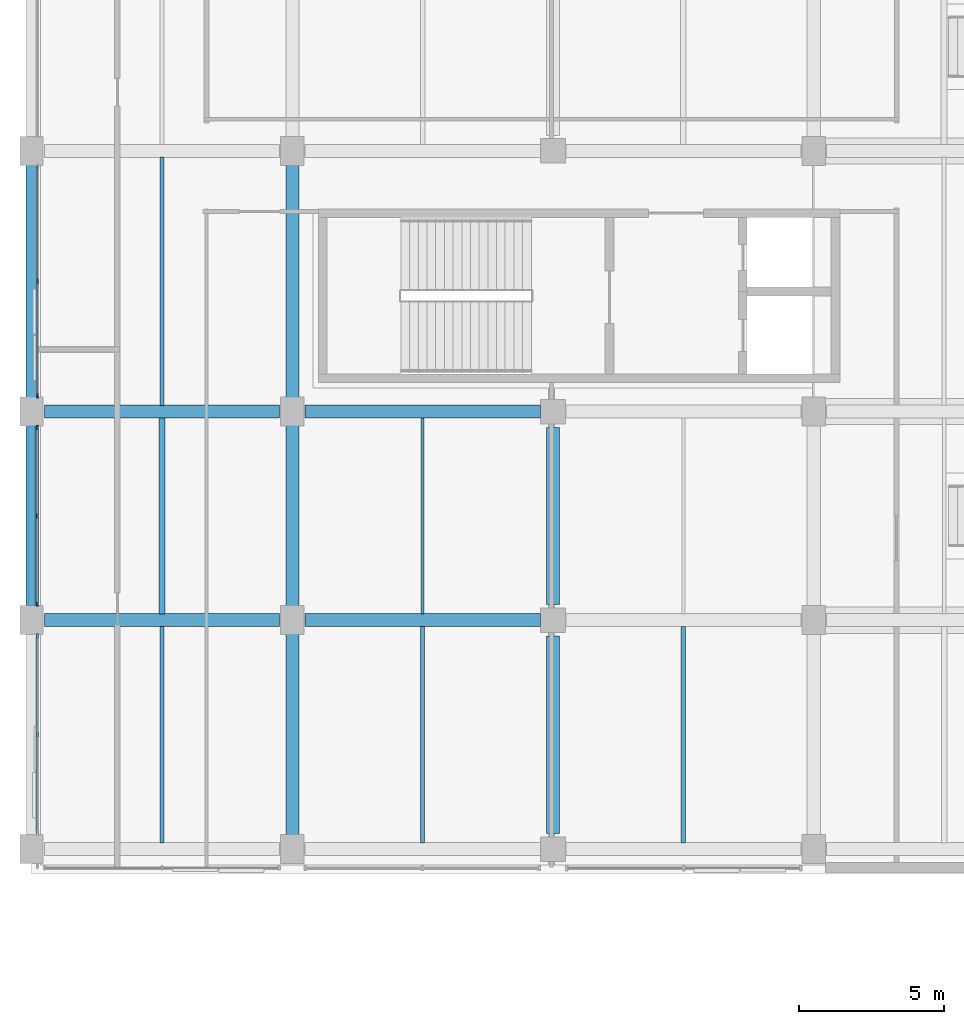
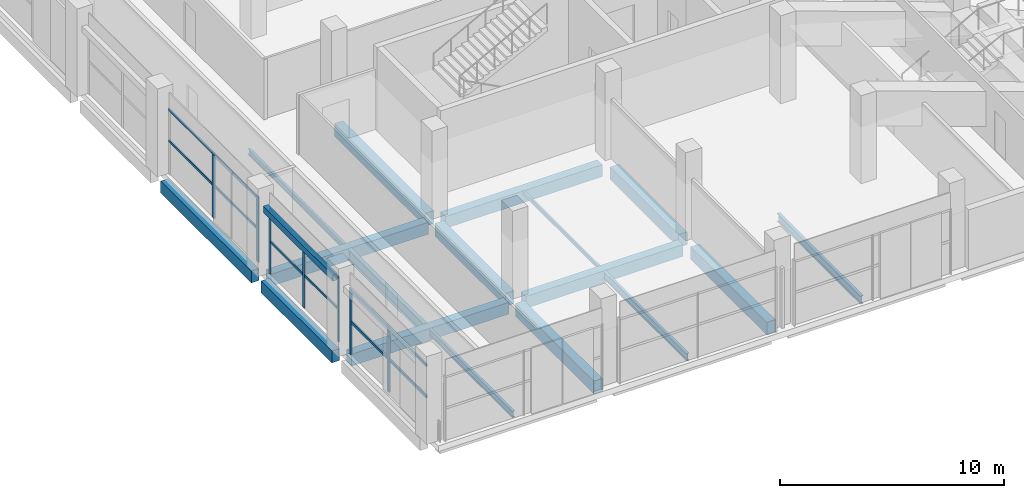
# One storey, part 21 of 66: 17 beams, 14 members, 3 elements without a shape of their own.
"""IFC4 building model written with IfcOpenShell, lengths in metres."""

from ifc_helpers import new_model, si_unit, direction, frame, origin, origin_2d, place, context, subcontext, project, spatial, rectangle, hollow_rectangle, i_section, extrude, material, material_profile, profile_set, type_object, element, aggregate, save


model = new_model("IFC4")

# Units and contexts
model_context = context("Model", 3, precision=1e-05, world=origin(), true_north=direction((0.0, 1.0)))
body_context = subcontext(model_context, "Body", "Model", "MODEL_VIEW")
ifc_project = project(units=[si_unit("LENGTHUNIT", "METRE"), si_unit("AREAUNIT", "SQUARE_METRE"), si_unit("VOLUMEUNIT", "CUBIC_METRE"), si_unit("PLANEANGLEUNIT", "RADIAN"), si_unit("MASSUNIT", "GRAM", prefix="KILO"), si_unit("THERMODYNAMICTEMPERATUREUNIT", "KELVIN"), si_unit("POWERUNIT", "WATT")], contexts=[model_context])

# Site, building, storey
site_placement = place(None, origin())
site = spatial("IfcSite", under=ifc_project, at=site_placement, CompositionType="ELEMENT")
building_placement = place(site_placement, origin())
building = spatial("IfcBuilding", under=site, at=building_placement, Name="Sindhuravela Promenade Stadium", CompositionType="ELEMENT")
storey_placement = place(building_placement, frame((0.0, 0.0, 19.199951171875)))
storey = spatial("IfcBuildingStorey", under=building, at=storey_placement, Name="L04", CompositionType="ELEMENT", Elevation=19.199951171875)

# Curtain wall, members
ifc_material_1 = material(Name="Anodised architectural aluminium 6063-T6", Category="aluminium")
curtain_wall_type_1 = type_object("IfcCurtainWallType", Name="CW-MOD-1", PredefinedType="NOTDEFINED", material=ifc_material_1)
curtain_wall_1_placement = place(storey_placement, origin())
curtain_wall_1 = element("IfcCurtainWall", 1, at=curtain_wall_1_placement, inside=storey, type_object=curtain_wall_type_1, Name="Bronze curtain wall CW-WEST-L04-048", PredefinedType="NOTDEFINED")
ifc_material_profile_1 = material_profile(ifc_material_1, rectangle(XDim=0.074951171875, YDim=0.175048828125, at=origin_2d()), Name="ALU MULL 75x175")
ifc_profile_set_1 = profile_set([ifc_material_profile_1], Name="Anodised architectural aluminium 6063-T6")
member_type_1 = type_object("IfcMemberType", Name="CW-MUL-1", PredefinedType="MULLION", material=ifc_profile_set_1)
member_1_placement = place(storey_placement, frame((0.199951171875, 41.050048828125, 0.0), z_axis=(0.0, 0.0, 1.0), x_axis=(1.0, 0.0, 0.0)))
member_1 = element("IfcMember", 2, at=member_1_placement, type_object=member_type_1, Name="Curtain wall mullion CW-WEST-L04-048-M2", PredefinedType="MULLION", context=body_context, shape_type="SweptSolid", body=[
    extrude(rectangle(XDim=0.074951171875, YDim=0.175048828125, at=origin_2d()), origin(), (0.0, 0.0, 1.0), 3.580078125),
])
member_2_placement = place(storey_placement, frame((0.199951171875, 44.449951171875, 0.0), z_axis=(0.0, 0.0, 1.0), x_axis=(1.0, 0.0, 0.0)))
member_2 = element("IfcMember", 3, at=member_2_placement, type_object=member_type_1, Name="Curtain wall mullion CW-WEST-L04-048-M3", PredefinedType="MULLION", context=body_context, shape_type="SweptSolid", body=[
    extrude(rectangle(XDim=0.074951171875, YDim=0.175048828125, at=origin_2d()), origin(), (0.0, 0.0, 1.0), 3.580078125),
])

curtain_wall_type_2 = type_object("IfcCurtainWallType", Name="CW-MOD-2", PredefinedType="NOTDEFINED", material=ifc_material_1)
curtain_wall_2_placement = place(storey_placement, origin())
curtain_wall_2 = element("IfcCurtainWall", 4, at=curtain_wall_2_placement, inside=storey, type_object=curtain_wall_type_2, Name="Bronze curtain wall CW-WEST-L04-049", PredefinedType="NOTDEFINED")
ifc_material_profile_2 = material_profile(ifc_material_1, rectangle(XDim=0.06494140625, YDim=0.14990234375, at=origin_2d()), Name="ALU MULL 65x150")
ifc_profile_set_2 = profile_set([ifc_material_profile_2], Name="Anodised architectural aluminium 6063-T6")
member_type_2 = type_object("IfcMemberType", Name="CW-MUL-2", PredefinedType="MULLION", material=ifc_profile_set_2)
member_3_placement = place(storey_placement, frame((0.199951171875, 45.550048828125, 0.0), z_axis=(0.0, 0.0, 1.0), x_axis=(1.0, 0.0, 0.0)))
member_3 = element("IfcMember", 5, at=member_3_placement, type_object=member_type_2, Name="Curtain wall mullion CW-WEST-L04-049-M1", PredefinedType="MULLION", context=body_context, shape_type="SweptSolid", body=[
    extrude(rectangle(XDim=0.06494140625, YDim=0.14990234375, at=origin_2d()), origin(), (0.0, 0.0, 1.0), 3.580078125),
])
member_4_placement = place(storey_placement, frame((0.199951171875, 48.60009765625, 0.0), z_axis=(0.0, 0.0, 1.0), x_axis=(1.0, 0.0, 0.0)))
member_4 = element("IfcMember", 6, at=member_4_placement, type_object=member_type_2, Name="Curtain wall mullion CW-WEST-L04-049-M2", PredefinedType="MULLION", context=body_context, shape_type="SweptSolid", body=[
    extrude(rectangle(XDim=0.06494140625, YDim=0.14990234375, at=origin_2d()), origin(), (0.0, 0.0, 1.0), 3.580078125),
])
member_5_placement = place(storey_placement, frame((0.199951171875, 51.64990234375, 0.0), z_axis=(0.0, 0.0, 1.0), x_axis=(1.0, 0.0, 0.0)))
member_5 = element("IfcMember", 7, at=member_5_placement, type_object=member_type_2, Name="Curtain wall mullion CW-WEST-L04-049-M3", PredefinedType="MULLION", context=body_context, shape_type="SweptSolid", body=[
    extrude(rectangle(XDim=0.06494140625, YDim=0.14990234375, at=origin_2d()), origin(), (0.0, 0.0, 1.0), 3.580078125),
])

curtain_wall_type_3 = type_object("IfcCurtainWallType", Name="CW-MOD-3", PredefinedType="NOTDEFINED", material=ifc_material_1)
curtain_wall_3_placement = place(storey_placement, origin())
curtain_wall_3 = element("IfcCurtainWall", 8, at=curtain_wall_3_placement, inside=storey, type_object=curtain_wall_type_3, Name="Bronze curtain wall CW-WEST-L04-050", PredefinedType="NOTDEFINED")
ifc_material_profile_3 = material_profile(ifc_material_1, rectangle(XDim=0.06005859375, YDim=0.179931640625, at=origin_2d()), Name="ALU M60x180")
ifc_profile_set_3 = profile_set([ifc_material_profile_3], Name="Anodised architectural aluminium 6063-T6")
member_type_3 = type_object("IfcMemberType", Name="CW-MUL-3", PredefinedType="MULLION", material=ifc_profile_set_3)
member_6_placement = place(storey_placement, frame((0.199951171875, 52.75, 0.0), z_axis=(0.0, 0.0, 1.0), x_axis=(1.0, 0.0, 0.0)))
member_6 = element("IfcMember", 9, at=member_6_placement, type_object=member_type_3, Name="Curtain wall mullion CW-WEST-L04-050-M1", PredefinedType="MULLION", context=body_context, shape_type="SweptSolid", body=[
    extrude(rectangle(XDim=0.06005859375, YDim=0.179931640625, at=origin_2d()), origin(), (0.0, 0.0, 1.0), 3.580078125),
])
member_7_placement = place(storey_placement, frame((0.199951171875, 56.699951171875, 0.0), z_axis=(0.0, 0.0, 1.0), x_axis=(1.0, 0.0, 0.0)))
member_7 = element("IfcMember", 10, at=member_7_placement, type_object=member_type_3, Name="Curtain wall mullion CW-WEST-L04-050-M2", PredefinedType="MULLION", context=body_context, shape_type="SweptSolid", body=[
    extrude(rectangle(XDim=0.06005859375, YDim=0.179931640625, at=origin_2d()), origin(), (0.0, 0.0, 1.0), 3.580078125),
])

# Member
ifc_material_profile_4 = material_profile(ifc_material_1, rectangle(XDim=0.074951171875, YDim=0.14990234375, at=origin_2d()), Name="ALU TRAN 75x150")
ifc_profile_set_4 = profile_set([ifc_material_profile_4], Name="Anodised architectural aluminium 6063-T6")
member_type_4 = type_object("IfcMemberType", Name="CW-TRN-1", PredefinedType="USERDEFINED", material=ifc_profile_set_4)
member_8_placement = place(storey_placement, frame((0.199951171875, 37.625, 1.7900390625), z_axis=(0.0, 1.0, 0.0), x_axis=(-1.0, 0.0, 0.0)))
member_8 = element("IfcMember", 11, at=member_8_placement, type_object=member_type_4, Name="Curtain wall transom CW-WEST-L04-048-T1", ObjectType="TRANSOM", PredefinedType="USERDEFINED", context=body_context, shape_type="SweptSolid", body=[
    extrude(rectangle(XDim=0.074951171875, YDim=0.14990234375, at=origin_2d()), origin(), (0.0, 0.0, 1.0), 6.85009765625),
])

member_9_placement = place(storey_placement, frame((0.199951171875, 37.625, 3.5), z_axis=(0.0, 1.0, 0.0), x_axis=(-1.0, 0.0, 0.0)))
member_9 = element("IfcMember", 12, at=member_9_placement, type_object=member_type_4, Name="Curtain wall transom CW-WEST-L04-048-T2", ObjectType="TRANSOM", PredefinedType="USERDEFINED", context=body_context, shape_type="SweptSolid", body=[
    extrude(rectangle(XDim=0.074951171875, YDim=0.14990234375, at=origin_2d()), origin(), (0.0, 0.0, 1.0), 6.85009765625),
])

aggregate(curtain_wall_1, [member_1, member_2, member_8, member_9])

ifc_material_profile_5 = material_profile(ifc_material_1, rectangle(XDim=0.06494140625, YDim=0.125, at=origin_2d()), Name="ALU TRAN 65x125")
ifc_profile_set_5 = profile_set([ifc_material_profile_5], Name="Anodised architectural aluminium 6063-T6")
member_type_5 = type_object("IfcMemberType", Name="CW-TRN-2", PredefinedType="USERDEFINED", material=ifc_profile_set_5)
member_10_placement = place(storey_placement, frame((0.199951171875, 45.52490234375, 1.7900390625), z_axis=(0.0, 1.0, 0.0), x_axis=(-1.0, 0.0, 0.0)))
member_10 = element("IfcMember", 13, at=member_10_placement, type_object=member_type_5, Name="Curtain wall transom CW-WEST-L04-049-T1", ObjectType="TRANSOM", PredefinedType="USERDEFINED", context=body_context, shape_type="SweptSolid", body=[
    extrude(rectangle(XDim=0.06494140625, YDim=0.125, at=origin_2d()), origin(), (0.0, 0.0, 1.0), 6.150146484375),
])

member_11_placement = place(storey_placement, frame((0.199951171875, 45.52490234375, 3.5), z_axis=(0.0, 1.0, 0.0), x_axis=(-1.0, 0.0, 0.0)))
member_11 = element("IfcMember", 14, at=member_11_placement, type_object=member_type_5, Name="Curtain wall transom CW-WEST-L04-049-T2", ObjectType="TRANSOM", PredefinedType="USERDEFINED", context=body_context, shape_type="SweptSolid", body=[
    extrude(rectangle(XDim=0.06494140625, YDim=0.125, at=origin_2d()), origin(), (0.0, 0.0, 1.0), 6.150146484375),
])

aggregate(curtain_wall_2, [member_3, member_4, member_5, member_10, member_11])

ifc_material_profile_6 = material_profile(ifc_material_1, rectangle(XDim=0.06005859375, YDim=0.1298828125, at=origin_2d()), Name="ALU T60x130")
ifc_profile_set_6 = profile_set([ifc_material_profile_6], Name="Anodised architectural aluminium 6063-T6")
member_type_6 = type_object("IfcMemberType", Name="CW-TRN-3", PredefinedType="USERDEFINED", material=ifc_profile_set_6)
member_12_placement = place(storey_placement, frame((0.199951171875, 52.72509765625, 1.7900390625), z_axis=(0.0, 1.0, 0.0), x_axis=(-1.0, 0.0, 0.0)))
member_12 = element("IfcMember", 15, at=member_12_placement, type_object=member_type_6, Name="Curtain wall transom CW-WEST-L04-050-T1", ObjectType="TRANSOM", PredefinedType="USERDEFINED", context=body_context, shape_type="SweptSolid", body=[
    extrude(rectangle(XDim=0.06005859375, YDim=0.1298828125, at=origin_2d()), origin(), (0.0, 0.0, 1.0), 7.949951171875),
])

member_13_placement = place(storey_placement, frame((0.199951171875, 52.72509765625, 3.5), z_axis=(0.0, 1.0, 0.0), x_axis=(-1.0, 0.0, 0.0)))
member_13 = element("IfcMember", 16, at=member_13_placement, type_object=member_type_6, Name="Curtain wall transom CW-WEST-L04-050-T2", ObjectType="TRANSOM", PredefinedType="USERDEFINED", context=body_context, shape_type="SweptSolid", body=[
    extrude(rectangle(XDim=0.06005859375, YDim=0.1298828125, at=origin_2d()), origin(), (0.0, 0.0, 1.0), 7.949951171875),
])

aggregate(curtain_wall_3, [member_6, member_7, member_12, member_13])

# Beams
ifc_material_2 = material(Name="Concrete M40", Category="concrete")
ifc_material_profile_7 = material_profile(ifc_material_2, rectangle(XDim=0.39990234375, YDim=0.64990234375, at=origin_2d()), Name="RC 400x650")
ifc_profile_set_7 = profile_set([ifc_material_profile_7], Name="Concrete M40")
beam_type_1 = type_object("IfcBeamType", Name="RC-BM-400x650", PredefinedType="SPANDREL", material=ifc_profile_set_7)
beam_1_placement = place(storey_placement, frame((0.0, 45.43994140625, -0.64501953125), z_axis=(0.0, 1.0, 0.0), x_axis=(-1.0, 0.0, 0.0)))
element("IfcBeam", 17, at=beam_1_placement, inside=storey, type_object=beam_type_1, Name="Primary beam SP01 WEST L04", PredefinedType="SPANDREL", context=body_context, shape_type="SweptSolid", body=[
    extrude(rectangle(XDim=0.39990234375, YDim=0.64990234375, at=origin_2d()), origin(), (0.0, 0.0, 1.0), 6.320068359375),
])
beam_2_placement = place(storey_placement, frame((0.0, 52.639892578125, -0.64501953125), z_axis=(0.0, 1.0, 0.0), x_axis=(-1.0, 0.0, 0.0)))
element("IfcBeam", 18, at=beam_2_placement, inside=storey, type_object=beam_type_1, Name="Primary beam SP01 WEST L04", PredefinedType="SPANDREL", context=body_context, shape_type="SweptSolid", body=[
    extrude(rectangle(XDim=0.39990234375, YDim=0.64990234375, at=origin_2d()), origin(), (0.0, 0.0, 1.0), 8.1201171875),
])
ifc_material_profile_8 = material_profile(ifc_material_2, rectangle(XDim=0.449951171875, YDim=0.64990234375, at=origin_2d()), Name="RC 450x650")
ifc_profile_set_8 = profile_set([ifc_material_profile_8], Name="Concrete M40")
beam_type_2 = type_object("IfcBeamType", Name="RC-BM-450x650", PredefinedType="T_BEAM", material=ifc_profile_set_8)
for number, where, z_axis, x_axis, name in (
    (19, (0.43994140625, 45.0, -0.64501953125), (1.0, 0.0, 0.0), (0.0, 1.0, 0.0), "Primary girder GB08 WEST L04"),
    (20, (9.43994140625, 45.0, -0.64501953125), (1.0, 0.0, 0.0), (0.0, 1.0, 0.0), "Primary girder GB08 WEST L04"),
    (21, (0.43994140625, 52.199951171875, -0.64501953125), (1.0, 0.0, 0.0), (0.0, 1.0, 0.0), "Primary girder GB08 WEST L04"),
    (22, (9.43994140625, 52.199951171875, -0.64501953125), (1.0, 0.0, 0.0), (0.0, 1.0, 0.0), "Primary girder GB08 WEST L04"),
):
    element("IfcBeam", number, at=place(storey_placement, frame(where, z_axis=z_axis, x_axis=x_axis)), inside=storey, type_object=beam_type_2, Name=name, PredefinedType="T_BEAM", context=body_context, shape_type="SweptSolid", body=[
        extrude(rectangle(XDim=0.449951171875, YDim=0.64990234375, at=origin_2d()), origin(), (0.0, 0.0, 1.0), 8.1201171875),
    ])
ifc_material_profile_9 = material_profile(ifc_material_2, rectangle(XDim=0.449951171875, YDim=0.699951171875, at=origin_2d()), Name="RC 450x700")
ifc_profile_set_9 = profile_set([ifc_material_profile_9], Name="Concrete M40")
beam_type_3 = type_object("IfcBeamType", Name="RC-BM-450x700", PredefinedType="BEAM", material=ifc_profile_set_9)
beam_3_placement = place(storey_placement, frame((9.0, 37.5400390625, -0.669921875), z_axis=(0.0, 1.0, 0.0), x_axis=(-1.0, 0.0, 0.0)))
element("IfcBeam", 23, at=beam_3_placement, inside=storey, type_object=beam_type_3, Name="Primary beam GB07 WEST L04", PredefinedType="BEAM", context=body_context, shape_type="SweptSolid", body=[
    extrude(rectangle(XDim=0.449951171875, YDim=0.699951171875, at=origin_2d()), origin(), (0.0, 0.0, 1.0), 7.02001953125),
])
beam_4_placement = place(storey_placement, frame((9.0, 45.43994140625, -0.669921875), z_axis=(0.0, 1.0, 0.0), x_axis=(-1.0, 0.0, 0.0)))
element("IfcBeam", 24, at=beam_4_placement, inside=storey, type_object=beam_type_3, Name="Primary beam GB07 WEST L04", PredefinedType="BEAM", context=body_context, shape_type="SweptSolid", body=[
    extrude(rectangle(XDim=0.449951171875, YDim=0.699951171875, at=origin_2d()), origin(), (0.0, 0.0, 1.0), 6.320068359375),
])
beam_5_placement = place(storey_placement, frame((9.0, 52.639892578125, -0.669921875), z_axis=(0.0, 1.0, 0.0), x_axis=(-1.0, 0.0, 0.0)))
element("IfcBeam", 25, at=beam_5_placement, inside=storey, type_object=beam_type_3, Name="Primary beam GB07 WEST L04", PredefinedType="BEAM", context=body_context, shape_type="SweptSolid", body=[
    extrude(rectangle(XDim=0.449951171875, YDim=0.699951171875, at=origin_2d()), origin(), (0.0, 0.0, 1.0), 8.1201171875),
])
beam_6_placement = place(storey_placement, frame((18.0, 37.639892578125, -0.669921875), z_axis=(0.0, 1.0, 0.0), x_axis=(-1.0, 0.0, 0.0)))
element("IfcBeam", 26, at=beam_6_placement, inside=storey, type_object=beam_type_3, Name="Primary beam GB07 WEST L04", PredefinedType="BEAM", context=body_context, shape_type="SweptSolid", body=[
    extrude(rectangle(XDim=0.449951171875, YDim=0.699951171875, at=origin_2d()), origin(), (0.0, 0.0, 1.0), 6.820068359375),
])
beam_7_placement = place(storey_placement, frame((18.0, 45.5400390625, -0.669921875), z_axis=(0.0, 1.0, 0.0), x_axis=(-1.0, 0.0, 0.0)))
element("IfcBeam", 27, at=beam_7_placement, inside=storey, type_object=beam_type_3, Name="Primary beam GB07 WEST L04", PredefinedType="BEAM", context=body_context, shape_type="SweptSolid", body=[
    extrude(rectangle(XDim=0.449951171875, YDim=0.699951171875, at=origin_2d()), origin(), (0.0, 0.0, 1.0), 6.119873046875),
])
ifc_material_3 = material(Name="Steel E350 (IS 2062 E350BR)", Category="steel")
ifc_material_profile_10 = material_profile(ifc_material_3, hollow_rectangle(XDim=0.10009765625, YDim=0.199951171875, WallThickness=0.008056640625, at=origin_2d()), Name="RHS 200x100x8")
ifc_profile_set_10 = profile_set([ifc_material_profile_10], Name="Steel E350 (IS 2062 E350BR)")
beam_type_4 = type_object("IfcBeamType", Name="ST-BM-LNT200", PredefinedType="LINTEL", material=ifc_profile_set_10)
beam_8_placement = place(storey_placement, frame((13.5, 45.215087890625, -0.419921875), z_axis=(0.0, 1.0, 0.0), x_axis=(-1.0, 0.0, 0.0)))
element("IfcBeam", 28, at=beam_8_placement, inside=storey, type_object=beam_type_4, Name="Secondary floor joist LN01 WEST L04", PredefinedType="LINTEL", context=body_context, shape_type="SweptSolid", body=[
    extrude(hollow_rectangle(XDim=0.10009765625, YDim=0.199951171875, WallThickness=0.008056640625, at=origin_2d()), origin(), (0.0, 0.0, 1.0), 6.77001953125),
])
ifc_material_profile_11 = material_profile(ifc_material_3, i_section(OverallWidth=0.139892578125, OverallDepth=0.300048828125, WebThickness=0.0078125, FlangeThickness=0.01318359375, FilletRadius=0.013916015625, at=origin_2d()), Name="ISMB 300")
ifc_profile_set_11 = profile_set([ifc_material_profile_11], Name="Steel E350 (IS 2062 E350BR)")
beam_type_5 = type_object("IfcBeamType", Name="ST-BM-MB300", PredefinedType="JOIST", material=ifc_profile_set_11)
beam_9_placement = place(storey_placement, frame((4.5, 52.4150390625, -0.469970703125), z_axis=(0.0, 1.0, 0.0), x_axis=(-1.0, 0.0, 0.0)))
element("IfcBeam", 29, at=beam_9_placement, inside=storey, type_object=beam_type_5, Name="Secondary floor joist SB03 WEST L04", PredefinedType="JOIST", context=body_context, shape_type="SweptSolid", body=[
    extrude(i_section(OverallWidth=0.139892578125, OverallDepth=0.300048828125, WebThickness=0.0078125, FlangeThickness=0.01318359375, FilletRadius=0.013916015625, at=origin_2d()), origin(), (0.0, 0.0, 1.0), 8.570068359375),
])
ifc_material_profile_12 = material_profile(ifc_material_3, i_section(OverallWidth=0.139892578125, OverallDepth=0.35009765625, WebThickness=0.008056640625, FlangeThickness=0.01416015625, FilletRadius=0.013916015625, at=origin_2d()), Name="ISMB 350")
ifc_profile_set_12 = profile_set([ifc_material_profile_12], Name="Steel E350 (IS 2062 E350BR)")
beam_type_6 = type_object("IfcBeamType", Name="ST-BM-MB350", PredefinedType="JOIST", material=ifc_profile_set_12)
beam_10_placement = place(storey_placement, frame((4.5, 37.31494140625, -0.494873046875), z_axis=(0.0, 1.0, 0.0), x_axis=(-1.0, 0.0, 0.0)))
element("IfcBeam", 30, at=beam_10_placement, inside=storey, type_object=beam_type_6, Name="Secondary floor joist SB04 WEST L04", PredefinedType="JOIST", context=body_context, shape_type="SweptSolid", body=[
    extrude(i_section(OverallWidth=0.139892578125, OverallDepth=0.35009765625, WebThickness=0.008056640625, FlangeThickness=0.01416015625, FilletRadius=0.013916015625, at=origin_2d()), origin(), (0.0, 0.0, 1.0), 7.469970703125),
])
ifc_material_profile_13 = material_profile(ifc_material_3, i_section(OverallWidth=0.139892578125, OverallDepth=0.39990234375, WebThickness=0.0087890625, FlangeThickness=0.01611328125, FilletRadius=0.013916015625, at=origin_2d()), Name="ISMB 400")
ifc_profile_set_13 = profile_set([ifc_material_profile_13], Name="Steel E350 (IS 2062 E350BR)")
beam_type_7 = type_object("IfcBeamType", Name="ST-BM-MB400", PredefinedType="BEAM", material=ifc_profile_set_13)
beam_11_placement = place(storey_placement, frame((13.5, 37.31494140625, -0.52001953125), z_axis=(0.0, 1.0, 0.0), x_axis=(-1.0, 0.0, 0.0)))
element("IfcBeam", 31, at=beam_11_placement, inside=storey, type_object=beam_type_7, Name="Secondary floor joist SB05 WEST L04", PredefinedType="BEAM", context=body_context, shape_type="SweptSolid", body=[
    extrude(i_section(OverallWidth=0.139892578125, OverallDepth=0.39990234375, WebThickness=0.0087890625, FlangeThickness=0.01611328125, FilletRadius=0.013916015625, at=origin_2d()), origin(), (0.0, 0.0, 1.0), 7.469970703125),
])
ifc_material_profile_14 = material_profile(ifc_material_3, i_section(OverallWidth=0.14990234375, OverallDepth=0.449951171875, WebThickness=0.009521484375, FlangeThickness=0.017333984375, FilletRadius=0.014892578125, at=origin_2d()), Name="ISMB 450")
ifc_profile_set_14 = profile_set([ifc_material_profile_14], Name="Steel E350 (IS 2062 E350BR)")
beam_type_8 = type_object("IfcBeamType", Name="ST-BM-MB450", PredefinedType="BEAM", material=ifc_profile_set_14)
beam_12_placement = place(storey_placement, frame((22.5, 37.31494140625, -0.544921875), z_axis=(0.0, 1.0, 0.0), x_axis=(-1.0, 0.0, 0.0)))
element("IfcBeam", 32, at=beam_12_placement, inside=storey, type_object=beam_type_8, Name="Secondary floor joist SB06 WEST L04", PredefinedType="BEAM", context=body_context, shape_type="SweptSolid", body=[
    extrude(i_section(OverallWidth=0.14990234375, OverallDepth=0.449951171875, WebThickness=0.009521484375, FlangeThickness=0.017333984375, FilletRadius=0.014892578125, at=origin_2d()), origin(), (0.0, 0.0, 1.0), 7.469970703125),
])
ifc_material_profile_15 = material_profile(ifc_material_3, i_section(OverallWidth=0.2099609375, OverallDepth=0.60009765625, WebThickness=0.011962890625, FlangeThickness=0.020751953125, FilletRadius=0.02001953125, at=origin_2d()), Name="ISMB 600")
ifc_profile_set_15 = profile_set([ifc_material_profile_15], Name="Steel E350 (IS 2062 E350BR)")
beam_type_9 = type_object("IfcBeamType", Name="ST-BM-MB600", PredefinedType="BEAM", material=ifc_profile_set_15)
beam_13_placement = place(storey_placement, frame((4.5, 45.215087890625, -0.619873046875), z_axis=(0.0, 1.0, 0.0), x_axis=(-1.0, 0.0, 0.0)))
element("IfcBeam", 33, at=beam_13_placement, inside=storey, type_object=beam_type_9, Name="Secondary floor joist SB09 WEST L04", PredefinedType="BEAM", context=body_context, shape_type="SweptSolid", body=[
    extrude(i_section(OverallWidth=0.2099609375, OverallDepth=0.60009765625, WebThickness=0.011962890625, FlangeThickness=0.020751953125, FilletRadius=0.02001953125, at=origin_2d()), origin(), (0.0, 0.0, 1.0), 6.77001953125),
])

# Member
ifc_material_profile_16 = material_profile(ifc_material_3, hollow_rectangle(XDim=0.25, YDim=0.35009765625, WallThickness=0.011962890625, at=origin_2d()), Name="RHS 350x250x12")
ifc_profile_set_16 = profile_set([ifc_material_profile_16], Name="Steel E350 (IS 2062 E350BR)")
member_type_7 = type_object("IfcMemberType", Name="ST-MB-RHS350", PredefinedType="CHORD", material=ifc_profile_set_16)
member_14_placement = place(storey_placement, frame((0.0, 45.491943359375, 3.60009765625), z_axis=(0.0, 1.0, 0.0), x_axis=(-1.0, 0.0, 0.0)))
element("IfcMember", 34, at=member_14_placement, inside=storey, type_object=member_type_7, Name="Portal tie member MC02-13", PredefinedType="CHORD", context=body_context, shape_type="SweptSolid", body=[
    extrude(hollow_rectangle(XDim=0.25, YDim=0.35009765625, WallThickness=0.011962890625, at=origin_2d()), origin(), (0.0, 0.0, 1.0), 6.216064453125),
])

save(model, "model.ifc")
